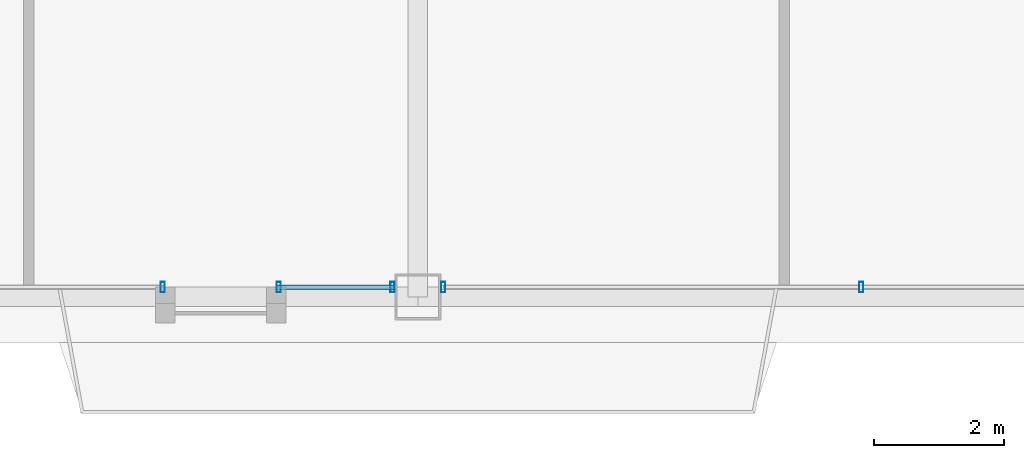
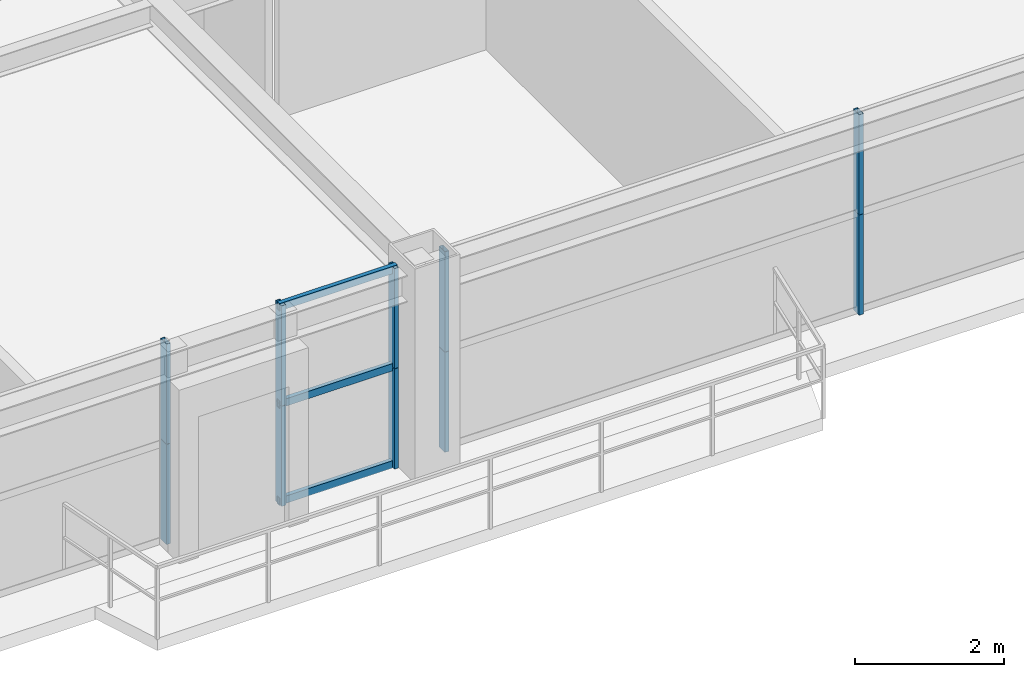
# One storey, part 9 of 34: 13 members, 3 elements without a shape of their own.
"""IFC4 building model written with IfcOpenShell, lengths in metres."""

from ifc_helpers import new_model, si_unit, direction, frame, origin, origin_2d, place, context, subcontext, project, spatial, hollow_rectangle, extrude, source, transform, mapped, material, layer, layer_set, material_profile, profile_set, type_object, element, aggregate, save


model = new_model("IFC4")

# Units and contexts
model_context = context("Model", 3, precision=1e-05, world=origin(), true_north=direction((0.0, 1.0)))
body_context = subcontext(model_context, "Body", "Model", "MODEL_VIEW")
ifc_project = project(units=[si_unit("LENGTHUNIT", "METRE"), si_unit("AREAUNIT", "SQUARE_METRE"), si_unit("VOLUMEUNIT", "CUBIC_METRE"), si_unit("PLANEANGLEUNIT", "RADIAN"), si_unit("MASSUNIT", "GRAM", prefix="KILO"), si_unit("THERMODYNAMICTEMPERATUREUNIT", "KELVIN"), si_unit("POWERUNIT", "WATT")], contexts=[model_context])

# Site, building, storey
site_placement = place(None, origin())
site = spatial("IfcSite", under=ifc_project, at=site_placement, CompositionType="ELEMENT")
building_placement = place(site_placement, origin())
building = spatial("IfcBuilding", under=site, at=building_placement, Name="Yuzanri Waterfront Tower", CompositionType="ELEMENT")
storey_placement = place(building_placement, frame((0.0, 0.0, 241.60009765625)))
storey = spatial("IfcBuildingStorey", under=building, at=storey_placement, Name="L64", CompositionType="ELEMENT", Elevation=241.60009765625)

# Curtain wall, members
ifc_material_1 = material(Name="Anodized Architectural Bronze", Category="metal")
ifc_layer = layer(ifc_material_1, 0.159912109375)
ifc_layer_set = layer_set([ifc_layer], Name="Anodized Architectural Bronze")
curtain_wall_type = type_object("IfcCurtainWallType", Name="Anodized Bronze Mid-Rise Residential Acoustic Unitized Curtain Wall 7200", PredefinedType="NOTDEFINED", material=ifc_layer_set)
curtain_wall_1_placement = place(storey_placement, origin())
curtain_wall_1 = element("IfcCurtainWall", 1, at=curtain_wall_1_placement, inside=storey, type_object=curtain_wall_type, Name="L64 Curtain Wall CW-L64-SL1", PredefinedType="NOTDEFINED")
ifc_material_2 = material(Name="Anodized Architectural Bronze", Category="metal")
ifc_material_profile_1 = material_profile(ifc_material_2, hollow_rectangle(XDim=0.06494140625, YDim=0.159912109375, WallThickness=0.00341796875, at=origin_2d()), Name="CWM 65x160")
ifc_profile_set_1 = profile_set([ifc_material_profile_1], Name="Anodized Architectural Bronze")
member_type_1 = type_object("IfcMemberType", Name="Anodized Bronze Upper-Zone Curtain-Wall Mullion 65x160", PredefinedType="MULLION", material=ifc_profile_set_1)
shared_shape_1 = source(origin(), body_context, "Body", "SweptSolid", [
    extrude(hollow_rectangle(XDim=0.06494140625, YDim=0.159912109375, WallThickness=0.00341796875, at=origin_2d()), origin(), (0.0, 0.0, 1.0), 1.637939453125),
])
member_1_placement = place(storey_placement, frame((33.0849609375, 5.35009765625, 0.0), z_axis=(0.0, 0.0, 1.0), x_axis=(1.0, 0.0, 0.0)))
member_1 = element("IfcMember", 2, at=member_1_placement, type_object=member_type_1, Name="CW-L64-SL1 Lower Mullion 01", PredefinedType="MULLION", context=body_context, shape_type="MappedRepresentation", body=[
    mapped(shared_shape_1, transform((0.0, 0.0, 0.0), scale=1.0)),
])
member_2_placement = place(storey_placement, frame((33.0849609375, 5.35009765625, 1.641845703125), z_axis=(0.0, 0.0, 1.0), x_axis=(1.0, 0.0, 0.0)))
member_2 = element("IfcMember", 3, at=member_2_placement, type_object=member_type_1, Name="CW-L64-SL1 Upper Mullion 01", PredefinedType="MULLION", context=body_context, shape_type="MappedRepresentation", body=[
    mapped(shared_shape_1, transform((0.0, 0.0, 0.0), scale=1.0)),
])
aggregate(curtain_wall_1, [member_1, member_2])

curtain_wall_2_placement = place(storey_placement, origin())
curtain_wall_2 = element("IfcCurtainWall", 4, at=curtain_wall_2_placement, inside=storey, type_object=curtain_wall_type, Name="L64 Curtain Wall CW-L64-SL2", PredefinedType="NOTDEFINED")
member_3_placement = place(storey_placement, frame((34.864990234375, 5.35009765625, 0.0), z_axis=(0.0, 0.0, 1.0), x_axis=(1.0, 0.0, 0.0)))
member_3 = element("IfcMember", 5, at=member_3_placement, type_object=member_type_1, Name="CW-L64-SL2 Lower Mullion 00", PredefinedType="MULLION", context=body_context, shape_type="MappedRepresentation", body=[
    mapped(shared_shape_1, transform((0.0, 0.0, 0.0), scale=1.0)),
])
member_4_placement = place(storey_placement, frame((34.864990234375, 5.35009765625, 1.641845703125), z_axis=(0.0, 0.0, 1.0), x_axis=(1.0, 0.0, 0.0)))
member_4 = element("IfcMember", 6, at=member_4_placement, type_object=member_type_1, Name="CW-L64-SL2 Upper Mullion 00", PredefinedType="MULLION", context=body_context, shape_type="MappedRepresentation", body=[
    mapped(shared_shape_1, transform((0.0, 0.0, 0.0), scale=1.0)),
])
member_5_placement = place(storey_placement, frame((36.610107421875, 5.35009765625, 0.0), z_axis=(0.0, 0.0, 1.0), x_axis=(1.0, 0.0, 0.0)))
member_5 = element("IfcMember", 7, at=member_5_placement, type_object=member_type_1, Name="CW-L64-SL2 Lower Mullion 01", PredefinedType="MULLION", context=body_context, shape_type="MappedRepresentation", body=[
    mapped(shared_shape_1, transform((0.0, 0.0, 0.0), scale=1.0)),
])
member_6_placement = place(storey_placement, frame((36.610107421875, 5.35009765625, 1.641845703125), z_axis=(0.0, 0.0, 1.0), x_axis=(1.0, 0.0, 0.0)))
member_6 = element("IfcMember", 8, at=member_6_placement, type_object=member_type_1, Name="CW-L64-SL2 Upper Mullion 01", PredefinedType="MULLION", context=body_context, shape_type="MappedRepresentation", body=[
    mapped(shared_shape_1, transform((0.0, 0.0, 0.0), scale=1.0)),
])

curtain_wall_3_placement = place(storey_placement, origin())
curtain_wall_3 = element("IfcCurtainWall", 9, at=curtain_wall_3_placement, inside=storey, type_object=curtain_wall_type, Name="L64 Curtain Wall CW-L64-SR", PredefinedType="NOTDEFINED")
member_7_placement = place(storey_placement, frame((37.389892578125, 5.35009765625, 0.0), z_axis=(0.0, 0.0, 1.0), x_axis=(1.0, 0.0, 0.0)))
member_7 = element("IfcMember", 10, at=member_7_placement, type_object=member_type_1, Name="CW-L64-SR Lower Mullion 00", PredefinedType="MULLION", context=body_context, shape_type="MappedRepresentation", body=[
    mapped(shared_shape_1, transform((0.0, 0.0, 0.0), scale=1.0)),
])
member_8_placement = place(storey_placement, frame((37.389892578125, 5.35009765625, 1.641845703125), z_axis=(0.0, 0.0, 1.0), x_axis=(1.0, 0.0, 0.0)))
member_8 = element("IfcMember", 11, at=member_8_placement, type_object=member_type_1, Name="CW-L64-SR Upper Mullion 00", PredefinedType="MULLION", context=body_context, shape_type="MappedRepresentation", body=[
    mapped(shared_shape_1, transform((0.0, 0.0, 0.0), scale=1.0)),
])
member_9_placement = place(storey_placement, frame((43.800048828125, 5.35009765625, 0.0), z_axis=(0.0, 0.0, 1.0), x_axis=(1.0, 0.0, 0.0)))
member_9 = element("IfcMember", 12, at=member_9_placement, type_object=member_type_1, Name="CW-L64-SR Lower Mullion 01", PredefinedType="MULLION", context=body_context, shape_type="MappedRepresentation", body=[
    mapped(shared_shape_1, transform((0.0, 0.0, 0.0), scale=1.0)),
])
member_10_placement = place(storey_placement, frame((43.800048828125, 5.35009765625, 1.641845703125), z_axis=(0.0, 0.0, 1.0), x_axis=(1.0, 0.0, 0.0)))
member_10 = element("IfcMember", 13, at=member_10_placement, type_object=member_type_1, Name="CW-L64-SR Upper Mullion 01", PredefinedType="MULLION", context=body_context, shape_type="MappedRepresentation", body=[
    mapped(shared_shape_1, transform((0.0, 0.0, 0.0), scale=1.0)),
])
aggregate(curtain_wall_3, [member_7, member_8, member_9, member_10])

# Member
ifc_material_3 = material(Name="Anodized Architectural Bronze", Category="metal")
ifc_material_profile_2 = material_profile(ifc_material_3, hollow_rectangle(XDim=0.06494140625, YDim=0.1201171875, WallThickness=0.00341796875, at=origin_2d()), Name="CWT 65x120")
ifc_profile_set_2 = profile_set([ifc_material_profile_2], Name="Anodized Architectural Bronze")
member_type_2 = type_object("IfcMemberType", Name="Anodized Bronze Secondary Curtain-Wall Transom 65x120", PredefinedType="USERDEFINED", material=ifc_profile_set_2)
shared_shape_2 = source(origin(), body_context, "Body", "SweptSolid", [
    extrude(hollow_rectangle(XDim=0.06494140625, YDim=0.1201171875, WallThickness=0.00341796875, at=origin_2d()), origin(), (0.0, 0.0, 1.0), 1.824951171875),
])
member_11_placement = place(storey_placement, frame((34.824951171875, 5.35009765625, 0.0498046875), z_axis=(1.0, 0.0, 0.0), x_axis=(0.0, 1.0, 0.0)))
member_11 = element("IfcMember", 14, at=member_11_placement, type_object=member_type_2, Name="CW-L64-SL2 Transom 1", ObjectType="TRANSOM", PredefinedType="USERDEFINED", context=body_context, shape_type="MappedRepresentation", body=[
    mapped(shared_shape_2, transform((0.0, 0.0, 0.0), scale=1.0)),
])

member_12_placement = place(storey_placement, frame((34.824951171875, 5.35009765625, 1.639892578125), z_axis=(1.0, 0.0, 0.0), x_axis=(0.0, 1.0, 0.0)))
member_12 = element("IfcMember", 15, at=member_12_placement, type_object=member_type_2, Name="CW-L64-SL2 Transom 2", ObjectType="TRANSOM", PredefinedType="USERDEFINED", context=body_context, shape_type="MappedRepresentation", body=[
    mapped(shared_shape_2, transform((0.0, 0.0, 0.0), scale=1.0)),
])

member_13_placement = place(storey_placement, frame((34.824951171875, 5.35009765625, 3.22998046875), z_axis=(1.0, 0.0, 0.0), x_axis=(0.0, 1.0, 0.0)))
member_13 = element("IfcMember", 16, at=member_13_placement, type_object=member_type_2, Name="CW-L64-SL2 Transom 3", ObjectType="TRANSOM", PredefinedType="USERDEFINED", context=body_context, shape_type="MappedRepresentation", body=[
    mapped(shared_shape_2, transform((0.0, 0.0, 0.0), scale=1.0)),
])

aggregate(curtain_wall_2, [member_3, member_4, member_5, member_6, member_11, member_12, member_13])

save(model, "model.ifc")
